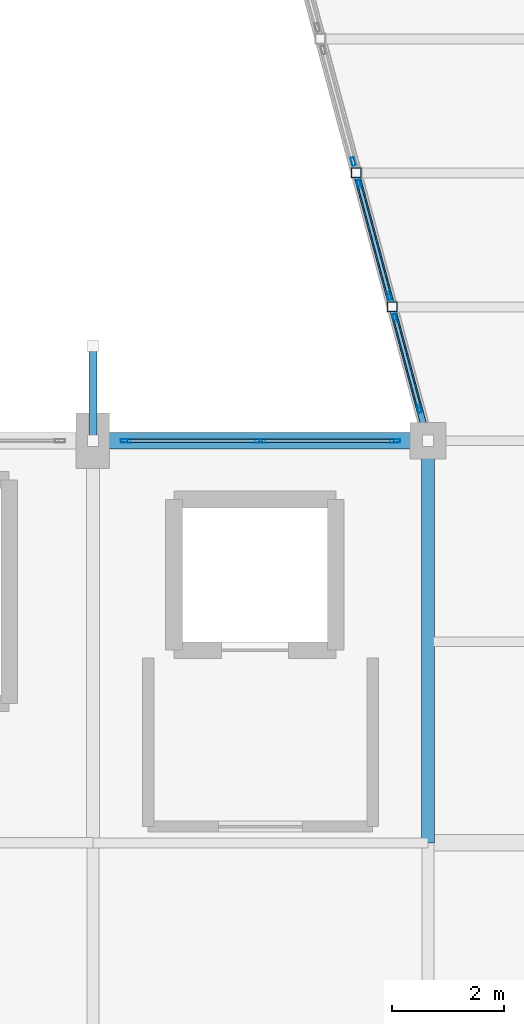
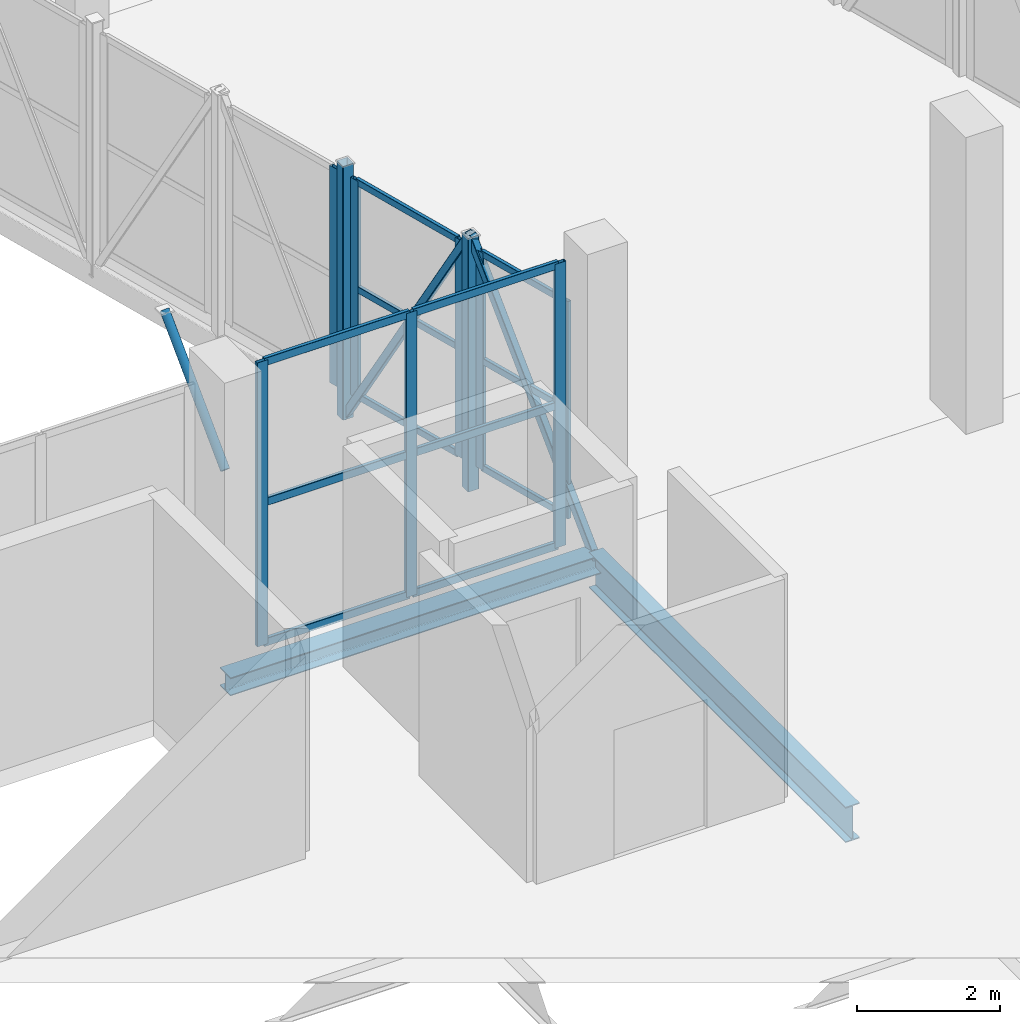
# One storey, part 39 of 127: 25 members, 2 beams, 4 elements without a shape of their own.
"""IFC4 building model written with IfcOpenShell, lengths in metres."""

from ifc_helpers import new_model, si_unit, direction, frame, origin, origin_2d, place, context, subcontext, project, spatial, hollow_rectangle, hollow_circle, i_section, extrude, material, layer, layer_set, material_profile, profile_set, type_object, element, aggregate, save


model = new_model("IFC4")

# Units and contexts
model_context = context("Model", 3, precision=1e-05, world=origin(), true_north=direction((0.0, 1.0)))
body_context = subcontext(model_context, "Body", "Model", "MODEL_VIEW")
ifc_project = project(units=[si_unit("LENGTHUNIT", "METRE"), si_unit("AREAUNIT", "SQUARE_METRE"), si_unit("VOLUMEUNIT", "CUBIC_METRE"), si_unit("PLANEANGLEUNIT", "RADIAN"), si_unit("MASSUNIT", "GRAM", prefix="KILO")], contexts=[model_context])

# Site, building, storey
site_placement = place(None, origin())
site = spatial("IfcSite", under=ifc_project, at=site_placement, CompositionType="ELEMENT")
building_placement = place(site_placement, origin())
building = spatial("IfcBuilding", under=site, at=building_placement, Name="Dunvalen Ferry Terminal", CompositionType="ELEMENT")
storey_placement = place(building_placement, frame((0.0, 0.0, 5.760009765625)))
storey = spatial("IfcBuildingStorey", under=building, at=storey_placement, Name="L01", CompositionType="ELEMENT", Elevation=5.760009765625)

# Curtain wall, members
ifc_material_1 = material(Name="Anodised marine aluminium and solar-control glazing", Category="aluminium")
ifc_layer_1 = layer(ifc_material_1, 0.219970703125, Name="Anodised marine aluminium and solar-control glazing")
ifc_layer_set_1 = layer_set([ifc_layer_1], Name="Anodised marine aluminium and solar-control glazing")
curtain_wall_type_1 = type_object("IfcCurtainWallType", Name="ENV-CW-SYS-02", PredefinedType="NOTDEFINED", material=ifc_layer_set_1)
curtain_wall_1_placement = place(storey_placement, origin())
curtain_wall_1 = element("IfcCurtainWall", 1, at=curtain_wall_1_placement, inside=storey, type_object=curtain_wall_type_1, Name="L01 Curtain Wall CW-V1N-L01-03", PredefinedType="NOTDEFINED")
ifc_material_2 = material(Name="Anodised marine aluminium EN AW-6063 T6", Category="aluminium")
ifc_material_profile_1 = material_profile(ifc_material_2, hollow_rectangle(XDim=0.06005859375, YDim=0.179931640625, WallThickness=0.00341796875, InnerFilletRadius=0.00341796875, OuterFilletRadius=0.007080078125, at=origin_2d()), Name="Anodised marine aluminium EN AW-6063 T6")
ifc_profile_set_1 = profile_set([ifc_material_profile_1], Name="Anodised marine aluminium EN AW-6063 T6")
member_type_1 = type_object("IfcMemberType", Name="ENV-CW-MUL-2", PredefinedType="MULLION", material=ifc_profile_set_1)
member_1_placement = place(storey_placement, frame((24.590087890625, 86.39990234375, 0.0), z_axis=(0.0, 0.0, 1.0), x_axis=(0.0, 1.0, 0.0)))
member_1 = element("IfcMember", 2, at=member_1_placement, type_object=member_type_1, Name="CW-02 mullion 1", PredefinedType="MULLION", context=body_context, shape_type="SweptSolid", body=[
    extrude(hollow_rectangle(XDim=0.06005859375, YDim=0.179931640625, WallThickness=0.00341796875, InnerFilletRadius=0.00341796875, OuterFilletRadius=0.007080078125, at=origin_2d()), origin(), (0.0, 0.0, 1.0), 4.860107421875),
])
member_2_placement = place(storey_placement, frame((27.0, 86.39990234375, 0.0), z_axis=(0.0, 0.0, 1.0), x_axis=(0.0, 1.0, 0.0)))
member_2 = element("IfcMember", 3, at=member_2_placement, type_object=member_type_1, Name="CW-02 mullion 2", PredefinedType="MULLION", context=body_context, shape_type="SweptSolid", body=[
    extrude(hollow_rectangle(XDim=0.06005859375, YDim=0.179931640625, WallThickness=0.00341796875, InnerFilletRadius=0.00341796875, OuterFilletRadius=0.007080078125, at=origin_2d()), origin(), (0.0, 0.0, 1.0), 4.860107421875),
])
member_3_placement = place(storey_placement, frame((29.409912109375, 86.39990234375, 0.0), z_axis=(0.0, 0.0, 1.0), x_axis=(0.0, 1.0, 0.0)))
member_3 = element("IfcMember", 4, at=member_3_placement, type_object=member_type_1, Name="CW-02 mullion 3", PredefinedType="MULLION", context=body_context, shape_type="SweptSolid", body=[
    extrude(hollow_rectangle(XDim=0.06005859375, YDim=0.179931640625, WallThickness=0.00341796875, InnerFilletRadius=0.00341796875, OuterFilletRadius=0.007080078125, at=origin_2d()), origin(), (0.0, 0.0, 1.0), 4.860107421875),
])

ifc_layer_2 = layer(ifc_material_1, 0.159912109375, Name="Anodised marine aluminium and solar-control glazing")
ifc_layer_set_2 = layer_set([ifc_layer_2], Name="Anodised marine aluminium and solar-control glazing")
curtain_wall_type_2 = type_object("IfcCurtainWallType", Name="ENV-CW-SYS-07", PredefinedType="NOTDEFINED", material=ifc_layer_set_2)
curtain_wall_2_placement = place(storey_placement, origin())
curtain_wall_2 = element("IfcCurtainWall", 5, at=curtain_wall_2_placement, inside=storey, type_object=curtain_wall_type_2, Name="L01 Curtain Wall CW-BRG1-S1-1", PredefinedType="NOTDEFINED")
ifc_material_profile_2 = material_profile(ifc_material_2, hollow_rectangle(XDim=0.06005859375, YDim=0.14990234375, WallThickness=0.00341796875, InnerFilletRadius=0.00341796875, OuterFilletRadius=0.007080078125, at=origin_2d()), Name="Anodised marine aluminium EN AW-6063 T6")
ifc_profile_set_2 = profile_set([ifc_material_profile_2], Name="Anodised marine aluminium EN AW-6063 T6")
member_type_2 = type_object("IfcMemberType", Name="ENV-CW-MUL-3", PredefinedType="MULLION", material=ifc_profile_set_2)
member_4_placement = place(storey_placement, frame((29.845703125, 86.97607421875, 0.0), z_axis=(0.0, 0.0, 1.0), x_axis=(-0.965919306501, -0.258843376057, 0.0)))
member_4 = element("IfcMember", 6, at=member_4_placement, type_object=member_type_2, Name="CW-07 mullion 1", PredefinedType="MULLION", context=body_context, shape_type="SweptSolid", body=[
    extrude(hollow_rectangle(XDim=0.06005859375, YDim=0.14990234375, WallThickness=0.00341796875, InnerFilletRadius=0.00341796875, OuterFilletRadius=0.007080078125, at=origin_2d()), origin(), (0.0, 0.0, 1.0), 3.719970703125),
])
member_5_placement = place(storey_placement, frame((29.410888671875, 88.59814453125, 0.0), z_axis=(0.0, 0.0, 1.0), x_axis=(-0.965919306501, -0.258843376057, 0.0)))
member_5 = element("IfcMember", 7, at=member_5_placement, type_object=member_type_2, Name="CW-07 mullion 2", PredefinedType="MULLION", context=body_context, shape_type="SweptSolid", body=[
    extrude(hollow_rectangle(XDim=0.06005859375, YDim=0.14990234375, WallThickness=0.00341796875, InnerFilletRadius=0.00341796875, OuterFilletRadius=0.007080078125, at=origin_2d()), origin(), (0.0, 0.0, 1.0), 3.719970703125),
])

curtain_wall_3_placement = place(storey_placement, origin())
curtain_wall_3 = element("IfcCurtainWall", 8, at=curtain_wall_3_placement, inside=storey, type_object=curtain_wall_type_2, Name="L01 Curtain Wall CW-BRG1-S1-2", PredefinedType="NOTDEFINED")
member_6_placement = place(storey_placement, frame((29.302734375, 89.001708984375, 0.0), z_axis=(0.0, 0.0, 1.0), x_axis=(-0.9659228666, -0.258830090561, 0.0)))
member_6 = element("IfcMember", 9, at=member_6_placement, type_object=member_type_2, Name="CW-07 mullion 1", PredefinedType="MULLION", context=body_context, shape_type="SweptSolid", body=[
    extrude(hollow_rectangle(XDim=0.06005859375, YDim=0.14990234375, WallThickness=0.00341796875, InnerFilletRadius=0.00341796875, OuterFilletRadius=0.007080078125, at=origin_2d()), origin(), (0.0, 0.0, 1.0), 3.719970703125),
])
member_7_placement = place(storey_placement, frame((28.767822265625, 90.998291015625, 0.0), z_axis=(0.0, 0.0, 1.0), x_axis=(-0.9659228666, -0.258830090561, 0.0)))
member_7 = element("IfcMember", 10, at=member_7_placement, type_object=member_type_2, Name="CW-07 mullion 2", PredefinedType="MULLION", context=body_context, shape_type="SweptSolid", body=[
    extrude(hollow_rectangle(XDim=0.06005859375, YDim=0.14990234375, WallThickness=0.00341796875, InnerFilletRadius=0.00341796875, OuterFilletRadius=0.007080078125, at=origin_2d()), origin(), (0.0, 0.0, 1.0), 3.719970703125),
])

# Curtain wall, member
curtain_wall_4_placement = place(storey_placement, origin())
curtain_wall_4 = element("IfcCurtainWall", 11, at=curtain_wall_4_placement, inside=storey, type_object=curtain_wall_type_2, Name="L01 Curtain Wall CW-BRG1-S1-3", PredefinedType="NOTDEFINED")
member_8_placement = place(storey_placement, frame((28.65966796875, 91.40185546875, 0.0), z_axis=(0.0, 0.0, 1.0), x_axis=(-0.965934620531, -0.258786222315, 0.0)))
member_8 = element("IfcMember", 12, at=member_8_placement, type_object=member_type_2, Name="CW-07 mullion 1", PredefinedType="MULLION", context=body_context, shape_type="SweptSolid", body=[
    extrude(hollow_rectangle(XDim=0.06005859375, YDim=0.14990234375, WallThickness=0.00341796875, InnerFilletRadius=0.00341796875, OuterFilletRadius=0.007080078125, at=origin_2d()), origin(), (0.0, 0.0, 1.0), 3.719970703125),
])
aggregate(curtain_wall_4, [member_8])

# Member
ifc_material_profile_3 = material_profile(ifc_material_2, hollow_rectangle(XDim=0.06005859375, YDim=0.135009765625, WallThickness=0.003173828125, InnerFilletRadius=0.003173828125, OuterFilletRadius=0.00634765625, at=origin_2d()), Name="Anodised marine aluminium EN AW-6063 T6")
ifc_profile_set_3 = profile_set([ifc_material_profile_3], Name="Anodised marine aluminium EN AW-6063 T6")
member_type_3 = type_object("IfcMemberType", Name="ENV-CW-TRN-2", PredefinedType="USERDEFINED", material=ifc_profile_set_3)
member_9_placement = place(storey_placement, frame((24.6201171875, 86.39990234375, 0.030029296875), z_axis=(1.0, 0.0, 0.0), x_axis=(0.0, 1.0, 0.0)))
member_9 = element("IfcMember", 13, at=member_9_placement, type_object=member_type_3, Name="CW-02 transom 1.1", ObjectType="TRANSOM", PredefinedType="USERDEFINED", context=body_context, shape_type="SweptSolid", body=[
    extrude(hollow_rectangle(XDim=0.06005859375, YDim=0.135009765625, WallThickness=0.003173828125, InnerFilletRadius=0.003173828125, OuterFilletRadius=0.00634765625, at=origin_2d()), origin(), (0.0, 0.0, 1.0), 2.349853515625),
])

member_10_placement = place(storey_placement, frame((24.6201171875, 86.39990234375, 2.429931640625), z_axis=(1.0, 0.0, 0.0), x_axis=(0.0, 1.0, 0.0)))
member_10 = element("IfcMember", 14, at=member_10_placement, type_object=member_type_3, Name="CW-02 transom 1.2", ObjectType="TRANSOM", PredefinedType="USERDEFINED", context=body_context, shape_type="SweptSolid", body=[
    extrude(hollow_rectangle(XDim=0.06005859375, YDim=0.135009765625, WallThickness=0.003173828125, InnerFilletRadius=0.003173828125, OuterFilletRadius=0.00634765625, at=origin_2d()), origin(), (0.0, 0.0, 1.0), 2.349853515625),
])

member_11_placement = place(storey_placement, frame((24.6201171875, 86.39990234375, 4.830078125), z_axis=(1.0, 0.0, 0.0), x_axis=(0.0, 1.0, 0.0)))
member_11 = element("IfcMember", 15, at=member_11_placement, type_object=member_type_3, Name="CW-02 transom 1.3", ObjectType="TRANSOM", PredefinedType="USERDEFINED", context=body_context, shape_type="SweptSolid", body=[
    extrude(hollow_rectangle(XDim=0.06005859375, YDim=0.135009765625, WallThickness=0.003173828125, InnerFilletRadius=0.003173828125, OuterFilletRadius=0.00634765625, at=origin_2d()), origin(), (0.0, 0.0, 1.0), 2.349853515625),
])

member_12_placement = place(storey_placement, frame((27.030029296875, 86.39990234375, 0.030029296875), z_axis=(1.0, 0.0, 0.0), x_axis=(0.0, 1.0, 0.0)))
member_12 = element("IfcMember", 16, at=member_12_placement, type_object=member_type_3, Name="CW-02 transom 2.1", ObjectType="TRANSOM", PredefinedType="USERDEFINED", context=body_context, shape_type="SweptSolid", body=[
    extrude(hollow_rectangle(XDim=0.06005859375, YDim=0.135009765625, WallThickness=0.003173828125, InnerFilletRadius=0.003173828125, OuterFilletRadius=0.00634765625, at=origin_2d()), origin(), (0.0, 0.0, 1.0), 2.349853515625),
])

member_13_placement = place(storey_placement, frame((27.030029296875, 86.39990234375, 2.429931640625), z_axis=(1.0, 0.0, 0.0), x_axis=(0.0, 1.0, 0.0)))
member_13 = element("IfcMember", 17, at=member_13_placement, type_object=member_type_3, Name="CW-02 transom 2.2", ObjectType="TRANSOM", PredefinedType="USERDEFINED", context=body_context, shape_type="SweptSolid", body=[
    extrude(hollow_rectangle(XDim=0.06005859375, YDim=0.135009765625, WallThickness=0.003173828125, InnerFilletRadius=0.003173828125, OuterFilletRadius=0.00634765625, at=origin_2d()), origin(), (0.0, 0.0, 1.0), 2.349853515625),
])

member_14_placement = place(storey_placement, frame((27.030029296875, 86.39990234375, 4.830078125), z_axis=(1.0, 0.0, 0.0), x_axis=(0.0, 1.0, 0.0)))
member_14 = element("IfcMember", 18, at=member_14_placement, type_object=member_type_3, Name="CW-02 transom 2.3", ObjectType="TRANSOM", PredefinedType="USERDEFINED", context=body_context, shape_type="SweptSolid", body=[
    extrude(hollow_rectangle(XDim=0.06005859375, YDim=0.135009765625, WallThickness=0.003173828125, InnerFilletRadius=0.003173828125, OuterFilletRadius=0.00634765625, at=origin_2d()), origin(), (0.0, 0.0, 1.0), 2.349853515625),
])

aggregate(curtain_wall_1, [member_1, member_2, member_3, member_9, member_10, member_11, member_12, member_13, member_14])

ifc_material_profile_4 = material_profile(ifc_material_2, hollow_rectangle(XDim=0.06005859375, YDim=0.114990234375, WallThickness=0.0029296875, InnerFilletRadius=0.0029296875, OuterFilletRadius=0.006103515625, at=origin_2d()), Name="Anodised marine aluminium EN AW-6063 T6")
ifc_profile_set_4 = profile_set([ifc_material_profile_4], Name="Anodised marine aluminium EN AW-6063 T6")
member_type_4 = type_object("IfcMemberType", Name="ENV-CW-TRN-3", PredefinedType="USERDEFINED", material=ifc_profile_set_4)
member_15_placement = place(storey_placement, frame((29.837890625, 87.005126953125, 0.030029296875), z_axis=(-0.258854143134, 0.965916421117, 0.0), x_axis=(-0.965916421117, -0.258854143134, 0.0)))
member_15 = element("IfcMember", 19, at=member_15_placement, type_object=member_type_4, Name="CW-07 transom 1.1", ObjectType="TRANSOM", PredefinedType="USERDEFINED", context=body_context, shape_type="SweptSolid", body=[
    extrude(hollow_rectangle(XDim=0.06005859375, YDim=0.114990234375, WallThickness=0.0029296875, InnerFilletRadius=0.0029296875, OuterFilletRadius=0.006103515625, at=origin_2d()), origin(), (0.0, 0.0, 1.0), 1.619384765625),
])

member_16_placement = place(storey_placement, frame((29.837890625, 87.005126953125, 1.860107421875), z_axis=(-0.258854143134, 0.965916421117, 0.0), x_axis=(-0.965916421117, -0.258854143134, 0.0)))
member_16 = element("IfcMember", 20, at=member_16_placement, type_object=member_type_4, Name="CW-07 transom 1.2", ObjectType="TRANSOM", PredefinedType="USERDEFINED", context=body_context, shape_type="SweptSolid", body=[
    extrude(hollow_rectangle(XDim=0.06005859375, YDim=0.114990234375, WallThickness=0.0029296875, InnerFilletRadius=0.0029296875, OuterFilletRadius=0.006103515625, at=origin_2d()), origin(), (0.0, 0.0, 1.0), 1.619384765625),
])

member_17_placement = place(storey_placement, frame((29.837890625, 87.005126953125, 3.68994140625), z_axis=(-0.258854143134, 0.965916421117, 0.0), x_axis=(-0.965916421117, -0.258854143134, 0.0)))
member_17 = element("IfcMember", 21, at=member_17_placement, type_object=member_type_4, Name="CW-07 transom 1.3", ObjectType="TRANSOM", PredefinedType="USERDEFINED", context=body_context, shape_type="SweptSolid", body=[
    extrude(hollow_rectangle(XDim=0.06005859375, YDim=0.114990234375, WallThickness=0.0029296875, InnerFilletRadius=0.0029296875, OuterFilletRadius=0.006103515625, at=origin_2d()), origin(), (0.0, 0.0, 1.0), 1.619384765625),
])

aggregate(curtain_wall_2, [member_4, member_5, member_15, member_16, member_17])

member_18_placement = place(storey_placement, frame((29.295166015625, 89.03076171875, 0.030029296875), z_axis=(-0.258873913014, 0.965911122806, 0.0), x_axis=(-0.965911122806, -0.258873913014, 0.0)))
member_18 = element("IfcMember", 22, at=member_18_placement, type_object=member_type_4, Name="CW-07 transom 1.1", ObjectType="TRANSOM", PredefinedType="USERDEFINED", context=body_context, shape_type="SweptSolid", body=[
    extrude(hollow_rectangle(XDim=0.06005859375, YDim=0.114990234375, WallThickness=0.0029296875, InnerFilletRadius=0.0029296875, OuterFilletRadius=0.006103515625, at=origin_2d()), origin(), (0.0, 0.0, 1.0), 2.0068359375),
])

member_19_placement = place(storey_placement, frame((29.295166015625, 89.03076171875, 1.860107421875), z_axis=(-0.258873913014, 0.965911122806, 0.0), x_axis=(-0.965911122806, -0.258873913014, 0.0)))
member_19 = element("IfcMember", 23, at=member_19_placement, type_object=member_type_4, Name="CW-07 transom 1.2", ObjectType="TRANSOM", PredefinedType="USERDEFINED", context=body_context, shape_type="SweptSolid", body=[
    extrude(hollow_rectangle(XDim=0.06005859375, YDim=0.114990234375, WallThickness=0.0029296875, InnerFilletRadius=0.0029296875, OuterFilletRadius=0.006103515625, at=origin_2d()), origin(), (0.0, 0.0, 1.0), 2.0068359375),
])

member_20_placement = place(storey_placement, frame((29.295166015625, 89.03076171875, 3.68994140625), z_axis=(-0.258873913014, 0.965911122806, 0.0), x_axis=(-0.965911122806, -0.258873913014, 0.0)))
member_20 = element("IfcMember", 24, at=member_20_placement, type_object=member_type_4, Name="CW-07 transom 1.3", ObjectType="TRANSOM", PredefinedType="USERDEFINED", context=body_context, shape_type="SweptSolid", body=[
    extrude(hollow_rectangle(XDim=0.06005859375, YDim=0.114990234375, WallThickness=0.0029296875, InnerFilletRadius=0.0029296875, OuterFilletRadius=0.006103515625, at=origin_2d()), origin(), (0.0, 0.0, 1.0), 2.0068359375),
])

aggregate(curtain_wall_3, [member_6, member_7, member_18, member_19, member_20])

# Beams
ifc_material_3 = material(Name="Steel S355", Category="steel")
ifc_material_profile_5 = material_profile(ifc_material_3, i_section(OverallWidth=0.300048828125, OverallDepth=0.31005859375, WebThickness=0.009033203125, FlangeThickness=0.015380859375, FilletRadius=0.027099609375, at=origin_2d()), Name="Steel S355")
ifc_profile_set_5 = profile_set([ifc_material_profile_5], Name="Steel S355")
beam_type_1 = type_object("IfcBeamType", Name="STR-BM-HEA320", PredefinedType="SPANDREL", material=ifc_profile_set_5)
beam_1_placement = place(storey_placement, frame((24.0, 86.39990234375, -0.43505859375), z_axis=(1.0, 0.0, 0.0), x_axis=(0.0, 1.0, 0.0)))
element("IfcBeam", 25, at=beam_1_placement, inside=storey, type_object=beam_type_1, Name="L01 V1M Primary Beam X-064", PredefinedType="SPANDREL", context=body_context, shape_type="SweptSolid", body=[
    extrude(i_section(OverallWidth=0.300048828125, OverallDepth=0.31005859375, WebThickness=0.009033203125, FlangeThickness=0.015380859375, FilletRadius=0.027099609375, at=origin_2d()), origin(), (0.0, 0.0, 1.0), 6.0),
])
ifc_material_profile_6 = material_profile(ifc_material_3, i_section(OverallWidth=0.228271484375, OverallDepth=0.607666015625, WebThickness=0.010986328125, FlangeThickness=0.017333984375, FilletRadius=0.0126953125, at=origin_2d()), Name="Steel S355")
ifc_profile_set_6 = profile_set([ifc_material_profile_6], Name="Steel S355")
beam_type_2 = type_object("IfcBeamType", Name="STR-BM-UKB610", PredefinedType="BEAM", material=ifc_profile_set_6)
beam_2_placement = place(storey_placement, frame((30.0, 79.199951171875, -0.583740234375), z_axis=(0.0, 1.0, 0.0), x_axis=(-1.0, 0.0, 0.0)))
element("IfcBeam", 26, at=beam_2_placement, inside=storey, type_object=beam_type_2, Name="L01 V1M Primary Girder Y-098", PredefinedType="BEAM", context=body_context, shape_type="SweptSolid", body=[
    extrude(i_section(OverallWidth=0.228271484375, OverallDepth=0.607666015625, WebThickness=0.010986328125, FlangeThickness=0.017333984375, FilletRadius=0.0126953125, at=origin_2d()), origin(), (0.0, 0.0, 1.0), 7.199951171875),
])

# Members
ifc_material_profile_7 = material_profile(ifc_material_3, hollow_circle(Radius=0.06982421875, WallThickness=0.00634765625, at=origin_2d()), Name="Steel S355")
ifc_profile_set_7 = profile_set([ifc_material_profile_7], Name="Steel S355")
member_type_5 = type_object("IfcMemberType", Name="STR-MB-CHS139", PredefinedType="BRACE", material=ifc_profile_set_7)
member_21_placement = place(storey_placement, frame((24.0, 86.39990234375, 3.18994140625), z_axis=(0.0, 0.705078956609, 0.709128807021), x_axis=(-1.0, 0.0, 0.0)))
element("IfcMember", 27, at=member_21_placement, inside=storey, type_object=member_type_5, Name="Departure Hall North Eave Knee Strut 03", PredefinedType="BRACE", context=body_context, shape_type="SweptSolid", body=[
    extrude(hollow_circle(Radius=0.06982421875, WallThickness=0.00634765625, at=origin_2d()), origin(), (0.0, 0.0, 1.0), 2.411376953125),
])
ifc_material_profile_8 = material_profile(ifc_material_3, hollow_rectangle(XDim=0.1201171875, YDim=0.1201171875, WallThickness=0.00634765625, InnerFilletRadius=0.00634765625, OuterFilletRadius=0.0126953125, at=origin_2d()), Name="Steel S355")
ifc_profile_set_8 = profile_set([ifc_material_profile_8], Name="Steel S355")
member_type_6 = type_object("IfcMemberType", Name="STR-MB-SHS120", PredefinedType="BRACE", material=ifc_profile_set_8)
for number, where, z_axis, x_axis, name in (
    (28, (30.0, 86.39990234375, -0.43994140625), (-0.128591470582, 0.47994789191, 0.867821556972), (-0.965930947833, -0.258799930484, 0.0), "Boarding Bridge 1 Warren Diagonal 1.1"),
    (29, (29.35693359375, 88.800048828125, 3.89990234375), (-0.128594483559, 0.479910316395, -0.867841890563), (-0.965924366126, -0.258824494443, 0.0), "Boarding Bridge 1 Warren Diagonal 1.2"),
):
    element("IfcMember", number, at=place(storey_placement, frame(where, z_axis=z_axis, x_axis=x_axis)), inside=storey, type_object=member_type_6, Name=name, PredefinedType="BRACE", context=body_context, shape_type="SweptSolid", body=[
        extrude(hollow_rectangle(XDim=0.1201171875, YDim=0.1201171875, WallThickness=0.00634765625, InnerFilletRadius=0.00634765625, OuterFilletRadius=0.0126953125, at=origin_2d()), origin(), (0.0, 0.0, 1.0), 5.000732421875),
    ])
ifc_material_profile_9 = material_profile(ifc_material_3, hollow_rectangle(XDim=0.179931640625, YDim=0.179931640625, WallThickness=0.008056640625, InnerFilletRadius=0.008056640625, OuterFilletRadius=0.01611328125, at=origin_2d()), Name="Steel S355")
ifc_profile_set_9 = profile_set([ifc_material_profile_9], Name="Steel S355")
member_type_7 = type_object("IfcMemberType", Name="STR-MB-SHS180", PredefinedType="STRUT", material=ifc_profile_set_9)
for number, where, z_axis, x_axis, name in (
    (30, (29.35693359375, 88.800048828125, -0.43994140625), (0.0, 0.0, 1.0), (1.0, 0.0, 0.0), "Boarding Bridge 1 Truss Post 1.1"),
    (31, (28.7138671875, 91.199951171875, -0.43994140625), (0.0, 0.0, 1.0), (1.0, 0.0, 0.0), "Boarding Bridge 1 Truss Post 1.2"),
):
    element("IfcMember", number, at=place(storey_placement, frame(where, z_axis=z_axis, x_axis=x_axis)), inside=storey, type_object=member_type_7, Name=name, PredefinedType="STRUT", context=body_context, shape_type="SweptSolid", body=[
        extrude(hollow_rectangle(XDim=0.179931640625, YDim=0.179931640625, WallThickness=0.008056640625, InnerFilletRadius=0.008056640625, OuterFilletRadius=0.01611328125, at=origin_2d()), origin(), (0.0, 0.0, 1.0), 4.33984375),
    ])

save(model, "model.ifc")
